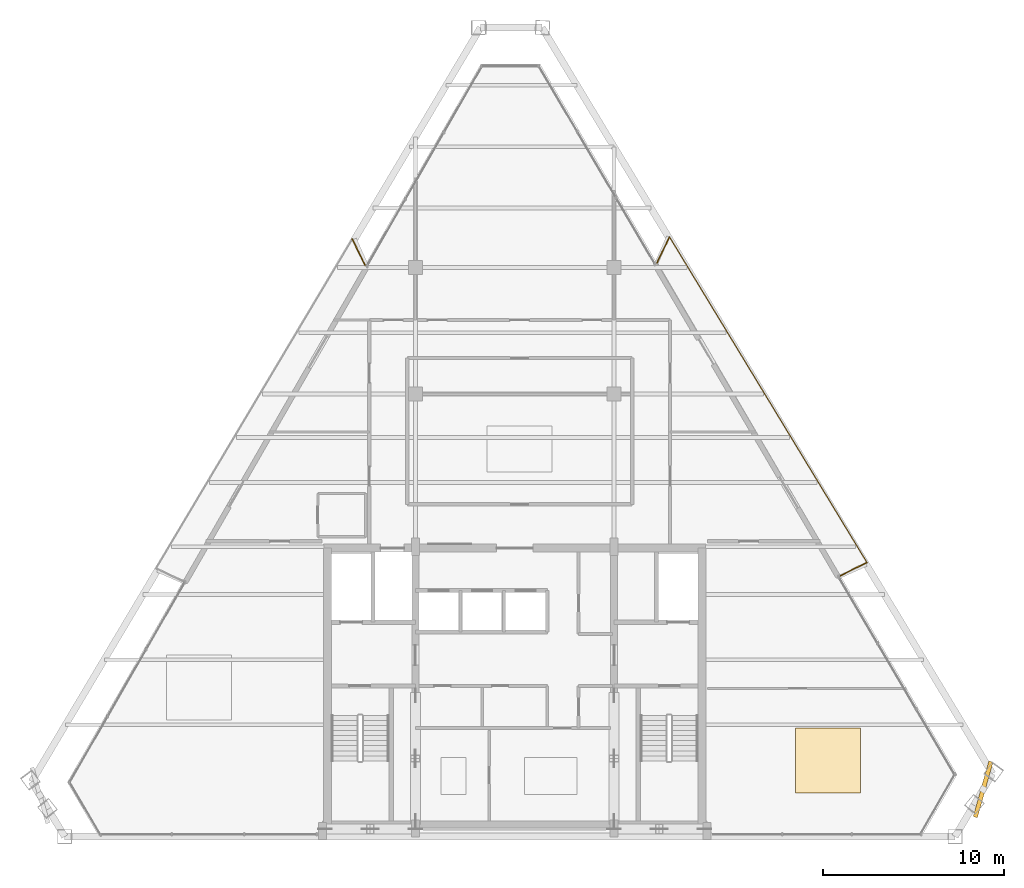
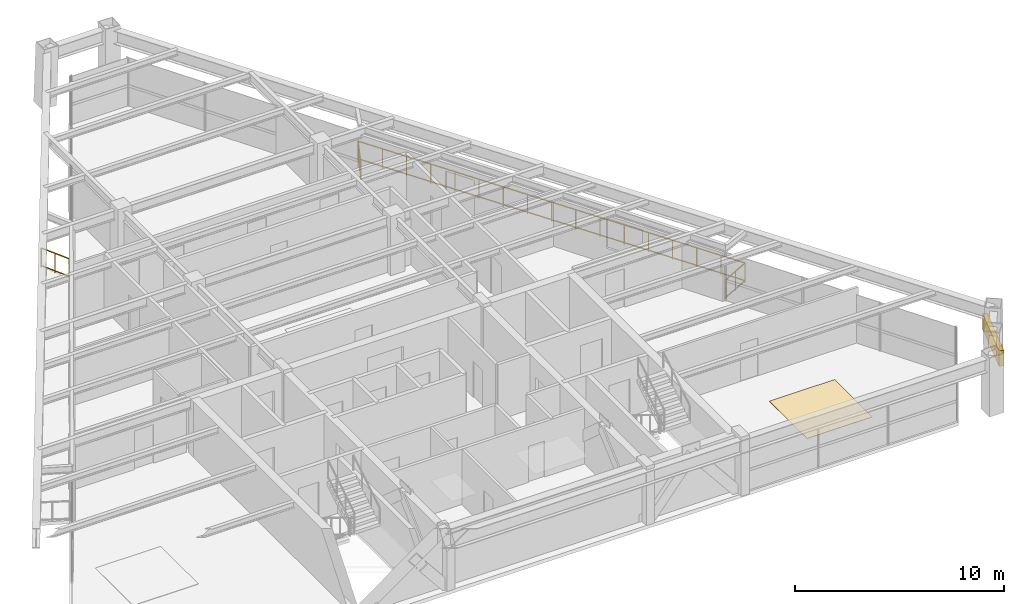
# One storey, part 13 of 13: 4 railings, 1 covering, 1 shading device.
"""IFC4 building model written with IfcOpenShell, lengths in metres."""

import ifcopenshell
import ifcopenshell.guid

model = None  # the IFC model being written
_history = None  # IfcOwnerHistory: only IFC2X3 demands one
_inside = {}  # id of a spatial element -> (the spatial element, [elements in it])
_under = {}  # id of a project, library or spatial element -> (it, [spatial elements below it])
_declared = {}  # id of a project -> (the project, [libraries it declares])
_typed = {}  # id of a type object -> (the type object, [elements of that type])
_made_of = {}  # id of a material, layer set ... -> (it, [elements and type objects made of it])


def new_model(schema):
    """Start an empty IFC model of exactly this schema.

    Asked for "IFC4X3", IfcOpenShell would pick the latest addendum, in which some entities
    have other attributes; the version numbers below select the first issue.
    IFC2X3 requires an IfcOwnerHistory on every rooted entity: one is made here for all.
    """
    global model, _history
    if schema == "IFC4X3":
        model = ifcopenshell.file(schema_version=(4, 3, 0, 0))
    else:
        model = ifcopenshell.file(schema=schema)
    _inside.clear()
    _under.clear()
    _declared.clear()
    _typed.clear()
    _made_of.clear()
    _history = None
    if model.schema == "IFC2X3":
        org = make("IfcOrganization", Name="unknown")
        user = make(
            "IfcPersonAndOrganization",
            ThePerson=make("IfcPerson", FamilyName="unknown"),
            TheOrganization=org,
        )
        app = make(
            "IfcApplication",
            ApplicationDeveloper=org,
            Version="unknown",
            ApplicationFullName="unknown",
            ApplicationIdentifier="unknown",
        )
        _history = make(
            "IfcOwnerHistory",
            OwningUser=user,
            OwningApplication=app,
            ChangeAction="ADDED",
            CreationDate=0,
        )
    return model


def make(cls, **values):
    """One entity of the class cls with the attributes given. An attribute that is None is left unset."""
    return model.create_entity(
        cls, **{name: value for name, value in values.items() if value is not None}
    )


def rooted(cls, **values):
    """An entity with a GlobalId (a new one), such as an element, a storey or a relation."""
    return make(cls, GlobalId=ifcopenshell.guid.new(), OwnerHistory=_history, **values)


def si_unit(unit_type, name, prefix=None):
    """IfcSIUnit, for example si_unit("LENGTHUNIT", "METRE", prefix="MILLI")."""
    return make("IfcSIUnit", UnitType=unit_type, Prefix=prefix, Name=name)


def assignment(units):
    """IfcUnitAssignment: the units of a project."""
    return None if units is None else make("IfcUnitAssignment", Units=units)


def point(xyz):
    """IfcCartesianPoint."""
    return None if xyz is None else make("IfcCartesianPoint", Coordinates=xyz)


def direction(xyz):
    """IfcDirection."""
    return None if xyz is None else make("IfcDirection", DirectionRatios=xyz)


def frame(location, z_axis=None, x_axis=None):
    """IfcAxis2Placement3D, a coordinate frame: its origin and axes. An axis left out is left unset."""
    return make(
        "IfcAxis2Placement3D",
        Location=point(location),
        Axis=direction(z_axis),
        RefDirection=direction(x_axis),
    )


def frame_2d(location, x_axis=None):
    """IfcAxis2Placement2D, a coordinate frame in the plane: its origin and x axis."""
    return make(
        "IfcAxis2Placement2D", Location=point(location), RefDirection=direction(x_axis)
    )


def origin():
    """The frame at (0, 0, 0) with its axes left unset."""
    return frame((0.0, 0.0, 0.0))


def origin_2d():
    """The frame at (0, 0) in the plane with its x axis left unset."""
    return frame_2d((0.0, 0.0))


def place(relative_to, where):
    """IfcLocalPlacement: puts the frame where relative to a parent placement (None: the world)."""
    return make(
        "IfcLocalPlacement", PlacementRelTo=relative_to, RelativePlacement=where
    )


def context(
    kind, dimensions, precision=None, world=None, true_north=None, identifier=None
):
    """IfcGeometricRepresentationContext, for example the 3D "Model" context."""
    return make(
        "IfcGeometricRepresentationContext",
        ContextIdentifier=identifier,
        ContextType=kind,
        CoordinateSpaceDimension=dimensions,
        Precision=precision,
        WorldCoordinateSystem=world,
        TrueNorth=true_north,
    )


def subcontext(parent, identifier, kind, view, scale=None):
    """IfcGeometricRepresentationSubContext, for example "Body" below "Model"."""
    return make(
        "IfcGeometricRepresentationSubContext",
        ContextIdentifier=identifier,
        ContextType=kind,
        ParentContext=parent,
        TargetScale=scale,
        TargetView=view,
    )


def project(units=None, contexts=None):
    """IfcProject with its units and contexts."""
    return rooted(
        "IfcProject",
        Name="project",
        RepresentationContexts=contexts,
        UnitsInContext=assignment(units),
    )


def spatial(cls, under=None, at=None, **own):
    """A site, building, storey or space (cls), placed at a placement, below another one or the project."""
    s = rooted(cls, ObjectPlacement=at, **own)
    if under is not None:
        _under.setdefault(under.id(), (under, []))[1].append(s)
    return s


def profile(cls, at=None, kind="AREA", **sizes):
    """A parametric profile (cls). Its sizes go by their IFC names, for example OverallWidth=200.0."""
    return make(cls, ProfileType=kind, Position=at, **sizes)


def rectangle(**sizes):
    """IfcRectangleProfileDef."""
    return profile("IfcRectangleProfileDef", **sizes)


def extrude(swept, where, along, depth):
    """IfcExtrudedAreaSolid: the profile swept, set in the frame where, extruded along a direction by depth."""
    return make(
        "IfcExtrudedAreaSolid",
        SweptArea=swept,
        Position=where,
        ExtrudedDirection=direction(along),
        Depth=depth,
    )


def shape(context_of_items, identifier, shape_type, items):
    """IfcShapeRepresentation: the items that make up one representation, for example the "Body"."""
    return make(
        "IfcShapeRepresentation",
        ContextOfItems=context_of_items,
        RepresentationIdentifier=identifier,
        RepresentationType=shape_type,
        Items=items,
    )


def source(mapping_origin, context_of_items, identifier, shape_type, items):
    """IfcRepresentationMap: a shape defined once, which mapped items show again and again."""
    return make(
        "IfcRepresentationMap",
        MappingOrigin=mapping_origin,
        MappedRepresentation=shape(context_of_items, identifier, shape_type, items),
    )


def transform(
    local_origin,
    x_axis=None,
    y_axis=None,
    z_axis=None,
    scale=None,
    scale2=None,
    scale3=None,
    uniform=True,
):
    """IfcCartesianTransformationOperator3D, or its non-uniform kind. x_axis, y_axis, z_axis: its Axis1, 2, 3."""
    if uniform:
        return make(
            "IfcCartesianTransformationOperator3D",
            Axis1=direction(x_axis),
            Axis2=direction(y_axis),
            LocalOrigin=point(local_origin),
            Scale=scale,
            Axis3=direction(z_axis),
        )
    return make(
        "IfcCartesianTransformationOperator3DnonUniform",
        Axis1=direction(x_axis),
        Axis2=direction(y_axis),
        LocalOrigin=point(local_origin),
        Scale=scale,
        Axis3=direction(z_axis),
        Scale2=scale2,
        Scale3=scale3,
    )


def mapped(mapping_source, mapping_target):
    """IfcMappedItem: shows the shape of a source again, moved by a transform."""
    return make(
        "IfcMappedItem", MappingSource=mapping_source, MappingTarget=mapping_target
    )


def material(Name=None, Category=None):
    """IfcMaterial."""
    return make("IfcMaterial", Name=Name, Category=Category)


def layer(
    of_material, thickness, ventilated=None, Name=None, Category=None, Priority=None
):
    """IfcMaterialLayer: one layer of a wall or slab, of a material (None: an air gap)."""
    return make(
        "IfcMaterialLayer",
        Material=of_material,
        LayerThickness=thickness,
        IsVentilated=ventilated,
        Name=Name,
        Category=Category,
        Priority=Priority,
    )


def layer_set(layers, Name=None):
    """IfcMaterialLayerSet."""
    return make("IfcMaterialLayerSet", MaterialLayers=layers, LayerSetName=Name)


def made_of(thing, what):
    """Note that an element or type object is made of a material, layer set ...; save() writes the relation."""
    if what is not None:
        _made_of.setdefault(what.id(), (what, []))[1].append(thing)
    return thing


def type_object(cls, material=None, **own):
    """A type object (cls), such as IfcWallType, which elements share."""
    return made_of(rooted(cls, **own), material)


def type_shapes(of_type, sources):
    """Give a type object the sources (RepresentationMaps) that its elements show as mapped items."""
    of_type.RepresentationMaps = sources


def element(
    cls,
    number,
    at=None,
    inside=None,
    cuts=None,
    type_object=None,
    material=None,
    context=None,
    identifier="Body",
    shape_type=None,
    held_by="IfcProductDefinitionShape",
    body=None,
    shapes=None,
    **own,
):
    """One element of the class cls, such as IfcWall. Its Tag is "e" and its number.

    at: its placement. inside: the storey or other place that contains it. cuts: it is an
    opening in that element (IfcRelVoidsElement). A single representation is given by context,
    identifier, shape_type and body (its items); several are given by shapes. held_by: the class
    of the entity that holds the representations. save() writes the other relations.
    """
    e = rooted(cls, Tag="e%d" % number, ObjectPlacement=at, **own)
    if body is not None:
        shapes = [shape(context, identifier, shape_type, body)]
    if shapes is not None:
        e.Representation = make(held_by, Representations=shapes)
    if inside is not None:
        _inside.setdefault(inside.id(), (inside, []))[1].append(e)
    if cuts is not None:
        rooted(
            "IfcRelVoidsElement", RelatingBuildingElement=cuts, RelatedOpeningElement=e
        )
    if type_object is not None:
        _typed.setdefault(type_object.id(), (type_object, []))[1].append(e)
    return made_of(e, material)


def aggregate(whole, parts):
    """IfcRelAggregates: a whole, such as a stair, and the parts it consists of."""
    return rooted("IfcRelAggregates", RelatingObject=whole, RelatedObjects=parts)


def save(model, path):
    """Write the relations noted so far, then the file.

    IfcRelAggregates (storeys below a building ...), IfcRelContainedInSpatialStructure (elements
    in a storey), IfcRelDefinesByType, IfcRelAssociatesMaterial and IfcRelDeclares: one each for
    every whole, place, type object, material and project.
    """
    for whole, parts in _under.values():
        aggregate(whole, parts)
    for where, things in _inside.values():
        rooted(
            "IfcRelContainedInSpatialStructure",
            RelatedElements=things,
            RelatingStructure=where,
        )
    for kind, things in _typed.values():
        rooted("IfcRelDefinesByType", RelatedObjects=things, RelatingType=kind)
    for what, things in _made_of.values():
        rooted("IfcRelAssociatesMaterial", RelatedObjects=things, RelatingMaterial=what)
    for by, libraries in _declared.values():
        rooted("IfcRelDeclares", RelatingContext=by, RelatedDefinitions=libraries)
    model.write(path)


model = new_model("IFC4")

# Units and contexts
model_context = context("Model", 3, precision=1e-05, world=origin(), true_north=direction((0.0, 1.0)))
body_context = subcontext(model_context, "Body", "Model", "MODEL_VIEW")
ifc_project = project(units=[si_unit("LENGTHUNIT", "METRE"), si_unit("AREAUNIT", "SQUARE_METRE"), si_unit("VOLUMEUNIT", "CUBIC_METRE"), si_unit("PLANEANGLEUNIT", "RADIAN"), si_unit("MASSUNIT", "GRAM", prefix="KILO")], contexts=[model_context])

# Site, building, storey
site_placement = place(None, origin())
site = spatial("IfcSite", under=ifc_project, at=site_placement, CompositionType="ELEMENT")
building_placement = place(site_placement, origin())
building = spatial("IfcBuilding", under=site, at=building_placement, Name="Varnakhor Terracotta Tower", CompositionType="ELEMENT")
storey_placement = place(building_placement, frame((0.0, 0.0, 283.35009765625)))
storey = spatial("IfcBuildingStorey", under=building, at=storey_placement, Name="L74", CompositionType="ELEMENT", Elevation=283.35009765625)

# Railings
ifc_material_1 = material(Name="Stainless Steel & Laminated Glass Guardrail", Category="steel")
railing_type = type_object("IfcRailingType", Name="RLG-LOGGIA-GUARD-1150", PredefinedType="GUARDRAIL", material=ifc_material_1)
railing_1_placement = place(storey_placement, frame((7.87255859375, 31.757080078125, 0.0)))
element("IfcRailing", 1, at=railing_1_placement, inside=storey, type_object=railing_type, Name="L74 E Loggia Glass Guard 1", PredefinedType="GUARDRAIL", context=body_context, shape_type="SweptSolid", body=[
    extrude(rectangle(XDim=0.048095703125, YDim=0.048095703125, at=origin_2d()), frame((0.0, 0.0, 1.1259765625), z_axis=(0.43382019868, 0.900999464604, 0.0), x_axis=(-0.900999464604, 0.43382019868, 0.0)), (0.0, 0.0, 1.0), 1.602783203125),
    extrude(rectangle(XDim=0.048095703125, YDim=0.048095703125, at=origin_2d()), frame((0.0, 0.0, 0.10009765625), z_axis=(0.43382019868, 0.900999464604, 0.0), x_axis=(-0.900999464604, 0.43382019868, 0.0)), (0.0, 0.0, 1.0), 1.602783203125),
    extrude(rectangle(XDim=0.0419921875, YDim=0.0419921875, at=origin_2d()), origin(), (0.0, 0.0, 1.0), 1.101806640625),
    extrude(rectangle(XDim=0.0419921875, YDim=0.0419921875, at=origin_2d()), frame((0.34765625, 0.72216796875, 0.0)), (0.0, 0.0, 1.0), 1.101806640625),
    extrude(rectangle(XDim=0.0419921875, YDim=0.0419921875, at=origin_2d()), frame((0.6953125, 1.444091796875, 0.0)), (0.0, 0.0, 1.0), 1.101806640625),
])
railing_2_placement = place(storey_placement, frame((8.56787109375, 33.201171875, 0.0)))
element("IfcRailing", 2, at=railing_2_placement, inside=storey, type_object=railing_type, Name="L74 E Loggia Glass Guard 2", PredefinedType="GUARDRAIL", context=body_context, shape_type="SweptSolid", body=[
    extrude(rectangle(XDim=0.048095703125, YDim=0.048095703125, at=origin_2d()), frame((0.0, 0.0, 1.1259765625), z_axis=(0.518557082635, -0.855043011812, 0.0), x_axis=(0.855043011812, 0.518557082635, 0.0)), (0.0, 0.0, 1.0), 21.080322265625),
    extrude(rectangle(XDim=0.048095703125, YDim=0.048095703125, at=origin_2d()), frame((0.0, 0.0, 0.10009765625), z_axis=(0.518557082635, -0.855043011812, 0.0), x_axis=(0.855043011812, 0.518557082635, 0.0)), (0.0, 0.0, 1.0), 21.080322265625),
    extrude(rectangle(XDim=0.0419921875, YDim=0.0419921875, at=origin_2d()), origin(), (0.0, 0.0, 1.0), 1.101806640625),
    extrude(rectangle(XDim=0.0419921875, YDim=0.0419921875, at=origin_2d()), frame((0.68310546875, -1.12646484375, 0.0)), (0.0, 0.0, 1.0), 1.101806640625),
    extrude(rectangle(XDim=0.0419921875, YDim=0.0419921875, at=origin_2d()), frame((1.366455078125, -2.253173828125, 0.0)), (0.0, 0.0, 1.0), 1.101806640625),
    extrude(rectangle(XDim=0.0419921875, YDim=0.0419921875, at=origin_2d()), frame((2.049560546875, -3.379638671875, 0.0)), (0.0, 0.0, 1.0), 1.101806640625),
    extrude(rectangle(XDim=0.0419921875, YDim=0.0419921875, at=origin_2d()), frame((2.73291015625, -4.506103515625, 0.0)), (0.0, 0.0, 1.0), 1.101806640625),
    extrude(rectangle(XDim=0.0419921875, YDim=0.0419921875, at=origin_2d()), frame((3.416015625, -5.6328125, 0.0)), (0.0, 0.0, 1.0), 1.101806640625),
    extrude(rectangle(XDim=0.0419921875, YDim=0.0419921875, at=origin_2d()), frame((4.099365234375, -6.75927734375, 0.0)), (0.0, 0.0, 1.0), 1.101806640625),
    extrude(rectangle(XDim=0.0419921875, YDim=0.0419921875, at=origin_2d()), frame((4.782470703125, -7.8857421875, 0.0)), (0.0, 0.0, 1.0), 1.101806640625),
    extrude(rectangle(XDim=0.0419921875, YDim=0.0419921875, at=origin_2d()), frame((5.4658203125, -9.01220703125, 0.0)), (0.0, 0.0, 1.0), 1.101806640625),
    extrude(rectangle(XDim=0.0419921875, YDim=0.0419921875, at=origin_2d()), frame((6.14892578125, -10.138916015625, 0.0)), (0.0, 0.0, 1.0), 1.101806640625),
    extrude(rectangle(XDim=0.0419921875, YDim=0.0419921875, at=origin_2d()), frame((6.83203125, -11.265380859375, 0.0)), (0.0, 0.0, 1.0), 1.101806640625),
    extrude(rectangle(XDim=0.0419921875, YDim=0.0419921875, at=origin_2d()), frame((7.515380859375, -12.391845703125, 0.0)), (0.0, 0.0, 1.0), 1.101806640625),
    extrude(rectangle(XDim=0.0419921875, YDim=0.0419921875, at=origin_2d()), frame((8.198486328125, -13.5185546875, 0.0)), (0.0, 0.0, 1.0), 1.101806640625),
    extrude(rectangle(XDim=0.0419921875, YDim=0.0419921875, at=origin_2d()), frame((8.8818359375, -14.64501953125, 0.0)), (0.0, 0.0, 1.0), 1.101806640625),
    extrude(rectangle(XDim=0.0419921875, YDim=0.0419921875, at=origin_2d()), frame((9.56494140625, -15.771484375, 0.0)), (0.0, 0.0, 1.0), 1.101806640625),
    extrude(rectangle(XDim=0.0419921875, YDim=0.0419921875, at=origin_2d()), frame((10.248291015625, -16.898193359375, 0.0)), (0.0, 0.0, 1.0), 1.101806640625),
    extrude(rectangle(XDim=0.0419921875, YDim=0.0419921875, at=origin_2d()), frame((10.931396484375, -18.024658203125, 0.0)), (0.0, 0.0, 1.0), 1.101806640625),
])
railing_3_placement = place(storey_placement, frame((19.499267578125, 15.176513671875, 0.0)))
element("IfcRailing", 3, at=railing_3_placement, inside=storey, type_object=railing_type, Name="L74 E Loggia Glass Guard 3", PredefinedType="GUARDRAIL", context=body_context, shape_type="SweptSolid", body=[
    extrude(rectangle(XDim=0.048095703125, YDim=0.048095703125, at=origin_2d()), frame((0.0, 0.0, 1.1259765625), z_axis=(-0.895437365421, -0.44518751623, 0.0), x_axis=(0.44518751623, -0.895437365421, 0.0)), (0.0, 0.0, 1.0), 1.6396484375),
    extrude(rectangle(XDim=0.048095703125, YDim=0.048095703125, at=origin_2d()), frame((0.0, 0.0, 0.10009765625), z_axis=(-0.895437365421, -0.44518751623, 0.0), x_axis=(0.44518751623, -0.895437365421, 0.0)), (0.0, 0.0, 1.0), 1.6396484375),
    extrude(rectangle(XDim=0.0419921875, YDim=0.0419921875, at=origin_2d()), origin(), (0.0, 0.0, 1.0), 1.101806640625),
    extrude(rectangle(XDim=0.0419921875, YDim=0.0419921875, at=origin_2d()), frame((-0.734130859375, -0.364990234375, 0.0)), (0.0, 0.0, 1.0), 1.101806640625),
    extrude(rectangle(XDim=0.0419921875, YDim=0.0419921875, at=origin_2d()), frame((-1.46826171875, -0.72998046875, 0.0)), (0.0, 0.0, 1.0), 1.101806640625),
])
railing_4_placement = place(storey_placement, frame((-8.99169921875, 33.07666015625, 0.0)))
element("IfcRailing", 4, at=railing_4_placement, inside=storey, type_object=railing_type, Name="L74 W Loggia Glass Guard 3", PredefinedType="GUARDRAIL", context=body_context, shape_type="SweptSolid", body=[
    extrude(rectangle(XDim=0.048095703125, YDim=0.048095703125, at=origin_2d()), frame((0.0, 0.0, 1.1259765625), z_axis=(0.438095904514, -0.898928238764, 0.0), x_axis=(0.898928238764, 0.438095904514, 0.0)), (0.0, 0.0, 1.0), 1.599853515625),
    extrude(rectangle(XDim=0.048095703125, YDim=0.048095703125, at=origin_2d()), frame((0.0, 0.0, 0.10009765625), z_axis=(0.438095904514, -0.898928238764, 0.0), x_axis=(0.898928238764, 0.438095904514, 0.0)), (0.0, 0.0, 1.0), 1.599853515625),
    extrude(rectangle(XDim=0.0419921875, YDim=0.0419921875, at=origin_2d()), origin(), (0.0, 0.0, 1.0), 1.101806640625),
    extrude(rectangle(XDim=0.0419921875, YDim=0.0419921875, at=origin_2d()), frame((0.3505859375, -0.71923828125, 0.0)), (0.0, 0.0, 1.0), 1.101806640625),
    extrude(rectangle(XDim=0.0419921875, YDim=0.0419921875, at=origin_2d()), frame((0.700927734375, -1.438232421875, 0.0)), (0.0, 0.0, 1.0), 1.101806640625),
])

# Shading device
ifc_material_2 = material(Name="Extruded Architectural Terracotta Screen", Category="masonry")
shading_device_type = type_object("IfcShadingDeviceType", Name="TERRACOTTA SOLAR SCREEN E", PredefinedType="USERDEFINED", material=ifc_material_2)
shared_shape_1 = source(origin(), body_context, "Body", "SweptSolid", [
    extrude(rectangle(XDim=3.199951171875, YDim=0.239990234375, at=origin_2d()), origin(), (0.0, 0.0, 1.0), 0.919921875),
])
type_shapes(shading_device_type, [shared_shape_1])
shading_device_placement = place(storey_placement, frame((25.933349609375, 2.614501953125, 1.56201171875), z_axis=(0.0, 0.0, 1.0), x_axis=(0.271692410752, 0.962384140528, 0.0)))
element("IfcShadingDevice", 5, at=shading_device_placement, inside=storey, type_object=shading_device_type, Name="L74 E Terracotta Solar Screen", ObjectType="SCREEN", PredefinedType="USERDEFINED", context=body_context, shape_type="MappedRepresentation", body=[
    mapped(shared_shape_1, transform((0.0, 0.0, 0.0), scale=1.0)),
])

# Covering
ifc_material_3 = material(Name="Honed Riyadh Limestone Flooring", Category="masonry")
ifc_layer = layer(ifc_material_3, 0.030029296875, Name="Honed Riyadh Limestone Flooring")
ifc_layer_set = layer_set([ifc_layer], Name="Honed Riyadh Limestone Flooring")
covering_type = type_object("IfcCoveringType", Name="COV-FLOOR-LIMESTONE", PredefinedType="FLOORING", material=ifc_layer_set)
shared_shape_2 = source(origin(), body_context, "Body", "SweptSolid", [
    extrude(rectangle(XDim=3.60009765625, YDim=3.60009765625, at=origin_2d()), origin(), (0.0, 0.0, 1.0), 0.02001953125),
])
covering_placement = place(storey_placement, frame((17.344970703125, 4.2041015625, 0.0), z_axis=(0.0, 0.0, 1.0), x_axis=(1.0, 0.0, 0.0)))
element("IfcCovering", 6, at=covering_placement, inside=storey, type_object=covering_type, Name="L74 Honed Stone Flooring 4", PredefinedType="FLOORING", context=body_context, shape_type="MappedRepresentation", body=[
    mapped(shared_shape_2, transform((0.0, 0.0, 0.0), scale=1.0)),
])

save(model, "model.ifc")
